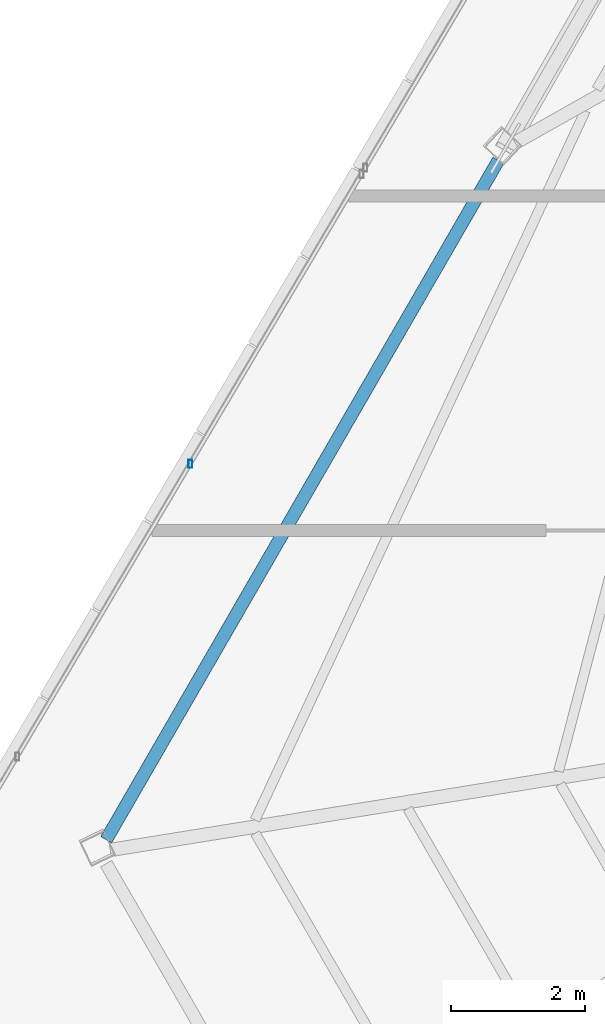
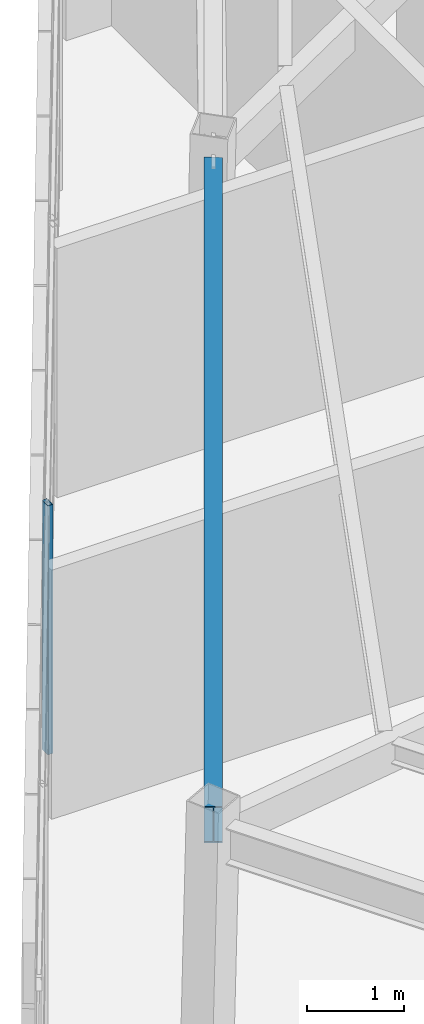
# One storey, part 9 of 44: 1 beam, 1 member, 1 element without a shape of its own.
"""IFC4 building model written with IfcOpenShell, lengths in metres."""

from ifc_helpers import new_model, si_unit, direction, frame, origin, origin_2d, place, context, subcontext, project, spatial, hollow_rectangle, i_section, extrude, source, transform, mapped, material, material_profile, profile_set, type_object, type_shapes, element, aggregate, save


model = new_model("IFC4")

# Units and contexts
model_context = context("Model", 3, precision=1e-05, world=origin(), true_north=direction((0.0, 1.0)))
body_context = subcontext(model_context, "Body", "Model", "MODEL_VIEW")
ifc_project = project(units=[si_unit("LENGTHUNIT", "METRE"), si_unit("AREAUNIT", "SQUARE_METRE"), si_unit("VOLUMEUNIT", "CUBIC_METRE"), si_unit("PLANEANGLEUNIT", "RADIAN"), si_unit("MASSUNIT", "GRAM", prefix="KILO")], contexts=[model_context])

# Site, building, storey
site_placement = place(None, origin())
site = spatial("IfcSite", under=ifc_project, at=site_placement, CompositionType="ELEMENT")
building_placement = place(site_placement, origin())
building = spatial("IfcBuilding", under=site, at=building_placement, Name="Caelisora Broadcast Tower", CompositionType="ELEMENT")
storey_placement = place(building_placement, frame((0.0, 0.0, 289.800048828125)))
storey = spatial("IfcBuildingStorey", under=building, at=storey_placement, Name="L76", CompositionType="ELEMENT", Elevation=289.800048828125)

# Beam
ifc_material_1 = material(Name="Steel Grade 350 (AS/NZS 3679.1)", Category="steel")
ifc_material_profile_1 = material_profile(ifc_material_1, i_section(OverallWidth=0.19091796875, OverallDepth=0.46044921875, WebThickness=0.010009765625, FlangeThickness=0.01611328125, at=origin_2d()), Name="Steel Grade 350 (AS/NZS 3679.1)")
ifc_profile_set_1 = profile_set([ifc_material_profile_1], Name="Steel Grade 350 (AS/NZS 3679.1)")
beam_type = type_object("IfcBeamType", Name="PG06", PredefinedType="BEAM", material=ifc_profile_set_1)
shared_shape_1 = source(origin(), body_context, "Body", "SweptSolid", [
    extrude(i_section(OverallWidth=0.19091796875, OverallDepth=0.46044921875, WebThickness=0.010009765625, FlangeThickness=0.01611328125, at=origin_2d()), origin(), (0.0, 0.0, 1.0), 11.7236328125),
])
type_shapes(beam_type, [shared_shape_1])
beam_placement = place(storey_placement, frame((22.789306640625, 25.532958984375, 2.919677734375), z_axis=(-0.499995851058, -0.866027799164, 0.0), x_axis=(0.866027799164, -0.499995851058, 0.0)))
element("IfcBeam", 1, at=beam_placement, inside=storey, type_object=beam_type, Name="L76 beam PG06", PredefinedType="BEAM", context=body_context, shape_type="MappedRepresentation", body=[
    mapped(shared_shape_1, transform((0.0, 0.0, 0.0), scale=1.0)),
])

# Curtain wall, member
ifc_material_2 = material(Name="Unitised Aluminium Insulated Shadow-Box Spandrel Curtain Wall", Category="aluminium")
curtain_wall_type = type_object("IfcCurtainWallType", Name="CW-SP3", PredefinedType="NOTDEFINED", material=ifc_material_2)
curtain_wall_placement = place(storey_placement, origin())
curtain_wall = element("IfcCurtainWall", 2, at=curtain_wall_placement, inside=storey, type_object=curtain_wall_type, Name="L76 curtain wall CW-SP3", PredefinedType="NOTDEFINED")
ifc_material_3 = material(Name="Aluminium 6063-T6 Anodised Terracotta Bronze", Category="aluminium")
ifc_material_profile_2 = material_profile(ifc_material_3, hollow_rectangle(XDim=0.06005859375, YDim=0.1201171875, WallThickness=0.0029296875, at=origin_2d()), Name="Aluminium 6063-T6 Anodised Terracotta Bronze")
ifc_profile_set_2 = profile_set([ifc_material_profile_2], Name="Aluminium 6063-T6 Anodised Terracotta Bronze")
member_type = type_object("IfcMemberType", Name="CWM-04", PredefinedType="MULLION", material=ifc_profile_set_2)
shared_shape_2 = source(origin(), body_context, "Body", "SweptSolid", [
    extrude(hollow_rectangle(XDim=0.06005859375, YDim=0.1201171875, WallThickness=0.0029296875, at=origin_2d()), origin(), (0.0, 0.0, 1.0), 3.14990234375),
])
type_shapes(member_type, [shared_shape_2])
member_placement = place(storey_placement, frame((18.185546875, 20.996826171875, 0.0), z_axis=(0.0, 0.0, 1.0), x_axis=(1.0, 0.0, 0.0)))
member = element("IfcMember", 3, at=member_placement, type_object=member_type, Name="L76-CW-B09 mullion #2", PredefinedType="MULLION", context=body_context, shape_type="MappedRepresentation", body=[
    mapped(shared_shape_2, transform((0.0, 0.0, 0.0), scale=1.0)),
])
aggregate(curtain_wall, [member])

save(model, "model.ifc")
